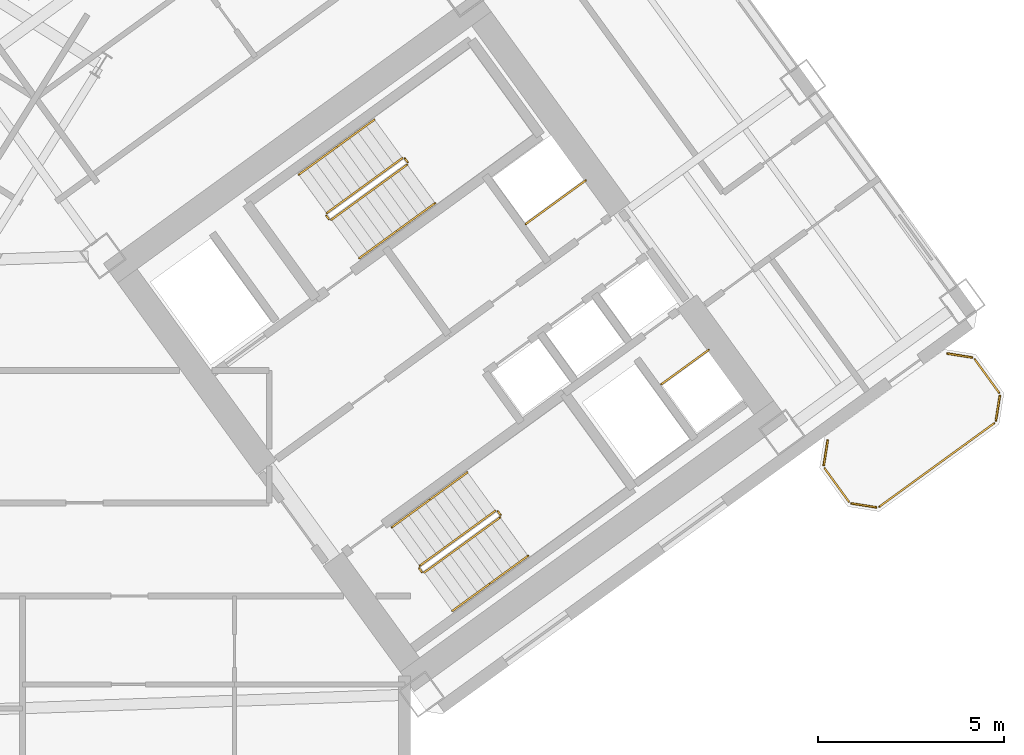
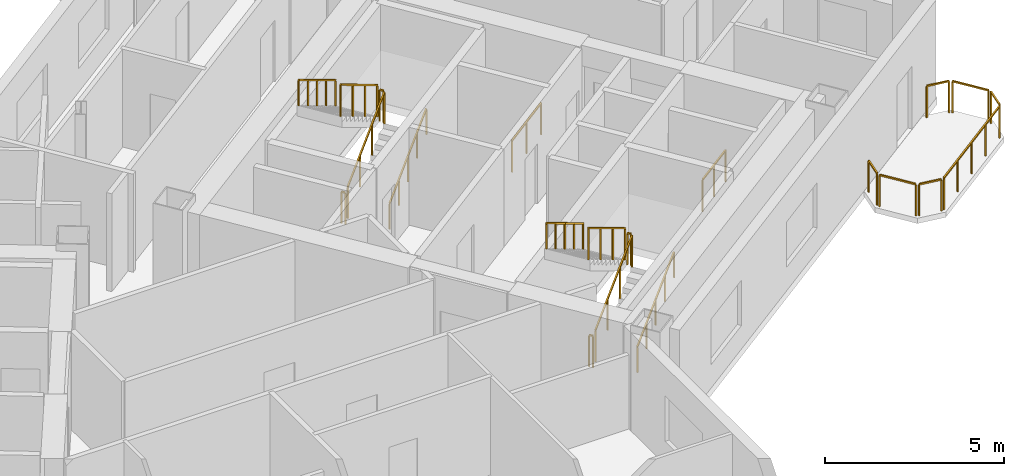
# One storey, part 20 of 21: 25 railings.
"""IFC4 building model written with IfcOpenShell, lengths in metres."""

from ifc_helpers import new_model, si_unit, direction, frame, origin, origin_2d, place, context, subcontext, project, spatial, rectangle, extrude, source, transform, mapped, material, type_object, element, save


model = new_model("IFC4")

# Units and contexts
model_context = context("Model", 3, precision=1e-05, world=origin(), true_north=direction((0.0, 1.0)))
body_context = subcontext(model_context, "Body", "Model", "MODEL_VIEW")
ifc_project = project(units=[si_unit("LENGTHUNIT", "METRE"), si_unit("AREAUNIT", "SQUARE_METRE"), si_unit("VOLUMEUNIT", "CUBIC_METRE"), si_unit("PLANEANGLEUNIT", "RADIAN"), si_unit("MASSUNIT", "GRAM", prefix="KILO")], contexts=[model_context])

# Site, building, storey
site_placement = place(None, origin())
site = spatial("IfcSite", under=ifc_project, at=site_placement, CompositionType="ELEMENT")
building_placement = place(site_placement, origin())
building = spatial("IfcBuilding", under=site, at=building_placement, Name="Tlacorven Tower", CompositionType="ELEMENT")
storey_placement = place(building_placement, frame((0.0, 0.0, 93.60009765625)))
storey = spatial("IfcBuildingStorey", under=building, at=storey_placement, Name="L23", CompositionType="ELEMENT", Elevation=93.60009765625)

# Railings
ifc_material = material(Name="Aluminium and painted steel balustrade", Category="steel")
railing_type_1 = type_object("IfcRailingType", Name="RL-GRD-1100", PredefinedType="GUARDRAIL", material=ifc_material)
shared_shape_1 = source(origin(), body_context, "Body", "SweptSolid", [
    extrude(rectangle(XDim=0.048095703125, YDim=0.048095703125, at=origin_2d()), frame((0.0, 0.0, 1.076171875), z_axis=(0.808947177504, 0.587881334972, 0.0), x_axis=(-0.587881334972, 0.808947177504, 0.0)), (0.0, 0.0, 1.0), 2.0),
    extrude(rectangle(XDim=0.0419921875, YDim=0.0419921875, at=origin_2d()), origin(), (0.0, 0.0, 1.0), 1.052001953125),
    extrude(rectangle(XDim=0.0419921875, YDim=0.0419921875, at=origin_2d()), frame((0.80908203125, 0.587890625, 0.0)), (0.0, 0.0, 1.0), 1.052001953125),
    extrude(rectangle(XDim=0.0419921875, YDim=0.0419921875, at=origin_2d()), frame((1.617919921875, 1.17578125, 0.0)), (0.0, 0.0, 1.0), 1.052001953125),
])
railing_1_placement = place(storey_placement, frame((55.506103515625, 25.438232421875, 0.0)))
element("IfcRailing", 1, at=railing_1_placement, inside=storey, type_object=railing_type_1, Name="L23 Electrical Riser E Shaft Guard 1", PredefinedType="GUARDRAIL", context=body_context, shape_type="MappedRepresentation", body=[
    mapped(shared_shape_1, transform((0.0, 0.0, 0.0), scale=1.0)),
])
shared_shape_2 = source(origin(), body_context, "Body", "SweptSolid", [
    extrude(rectangle(XDim=0.048095703125, YDim=0.048095703125, at=origin_2d()), frame((0.0, 0.0, 1.076171875), z_axis=(0.809029975545, 0.58776738483, 0.0), x_axis=(-0.58776738483, 0.809029975545, 0.0)), (0.0, 0.0, 1.0), 1.580078125),
    extrude(rectangle(XDim=0.0419921875, YDim=0.0419921875, at=origin_2d()), origin(), (0.0, 0.0, 1.0), 1.052001953125),
    extrude(rectangle(XDim=0.0419921875, YDim=0.0419921875, at=origin_2d()), frame((0.63916015625, 0.46435546875, 0.0)), (0.0, 0.0, 1.0), 1.052001953125),
    extrude(rectangle(XDim=0.0419921875, YDim=0.0419921875, at=origin_2d()), frame((1.2783203125, 0.9287109375, 0.0)), (0.0, 0.0, 1.0), 1.052001953125),
])
railing_2_placement = place(storey_placement, frame((59.160888671875, 21.122314453125, 0.0)))
element("IfcRailing", 2, at=railing_2_placement, inside=storey, type_object=railing_type_1, Name="L23 Smoke Riser E Shaft Guard 1", PredefinedType="GUARDRAIL", context=body_context, shape_type="MappedRepresentation", body=[
    mapped(shared_shape_2, transform((0.0, 0.0, 0.0), scale=1.0)),
])
railing_type_2 = type_object("IfcRailingType", Name="RL-BAL-1100", PredefinedType="BALUSTRADE", material=ifc_material)
shared_shape_3 = source(origin(), body_context, "Body", "SweptSolid", [
    extrude(rectangle(XDim=0.048095703125, YDim=0.048095703125, at=origin_2d()), frame((0.0, 0.0, 1.076171875), z_axis=(0.156602868908, 0.987661653326, 0.0), x_axis=(-0.987661653326, 0.156602868908, 0.0)), (0.0, 0.0, 1.0), 0.665771484375),
    extrude(rectangle(XDim=0.0419921875, YDim=0.0419921875, at=origin_2d()), origin(), (0.0, 0.0, 1.0), 1.052001953125),
    extrude(rectangle(XDim=0.0419921875, YDim=0.0419921875, at=origin_2d()), frame((0.104248046875, 0.657470703125, 0.0)), (0.0, 0.0, 1.0), 1.052001953125),
])
railing_3_placement = place(storey_placement, frame((63.539306640625, 18.949951171875, 0.0)))
element("IfcRailing", 3, at=railing_3_placement, inside=storey, type_object=railing_type_2, Name="BAL-L23-E-OUT Guard Railing 3", PredefinedType="BALUSTRADE", context=body_context, shape_type="MappedRepresentation", body=[
    mapped(shared_shape_3, transform((0.0, 0.0, 0.0), scale=1.0)),
])
shared_shape_4 = source(origin(), body_context, "Body", "SweptSolid", [
    extrude(rectangle(XDim=0.048095703125, YDim=0.048095703125, at=origin_2d()), frame((0.0, 0.0, 1.076171875), z_axis=(0.58788449985, -0.808944877501, 0.0), x_axis=(0.808944877501, 0.58788449985, 0.0)), (0.0, 0.0, 1.0), 1.112060546875),
    extrude(rectangle(XDim=0.0419921875, YDim=0.0419921875, at=origin_2d()), origin(), (0.0, 0.0, 1.0), 1.052001953125),
    extrude(rectangle(XDim=0.0419921875, YDim=0.0419921875, at=origin_2d()), frame((0.65380859375, -0.899658203125, 0.0)), (0.0, 0.0, 1.0), 1.052001953125),
])
railing_4_placement = place(storey_placement, frame((67.60595703125, 21.799072265625, 0.0)))
element("IfcRailing", 4, at=railing_4_placement, inside=storey, type_object=railing_type_2, Name="BAL-L23-E-OUT Guard Railing 5", PredefinedType="BALUSTRADE", context=body_context, shape_type="MappedRepresentation", body=[
    mapped(shared_shape_4, transform((0.0, 0.0, 0.0), scale=1.0)),
])
shared_shape_5 = source(origin(), body_context, "Body", "SweptSolid", [
    extrude(rectangle(XDim=0.048095703125, YDim=0.048095703125, at=origin_2d()), frame((0.0, 0.0, 1.076171875), z_axis=(-0.809018102573, -0.587783726986, 0.0), x_axis=(0.587783726986, -0.809018102573, 0.0)), (0.0, 0.0, 1.0), 3.817138671875),
    extrude(rectangle(XDim=0.0419921875, YDim=0.0419921875, at=origin_2d()), origin(), (0.0, 0.0, 1.0), 1.052001953125),
    extrude(rectangle(XDim=0.0419921875, YDim=0.0419921875, at=origin_2d()), frame((-0.77197265625, -0.56103515625, 0.0)), (0.0, 0.0, 1.0), 1.052001953125),
    extrude(rectangle(XDim=0.0419921875, YDim=0.0419921875, at=origin_2d()), frame((-1.5439453125, -1.121826171875, 0.0)), (0.0, 0.0, 1.0), 1.052001953125),
    extrude(rectangle(XDim=0.0419921875, YDim=0.0419921875, at=origin_2d()), frame((-2.316162109375, -1.6826171875, 0.0)), (0.0, 0.0, 1.0), 1.052001953125),
    extrude(rectangle(XDim=0.0419921875, YDim=0.0419921875, at=origin_2d()), frame((-3.088134765625, -2.24365234375, 0.0)), (0.0, 0.0, 1.0), 1.052001953125),
])
railing_5_placement = place(storey_placement, frame((68.12890625, 20.0732421875, 0.0)))
element("IfcRailing", 5, at=railing_5_placement, inside=storey, type_object=railing_type_2, Name="BAL-L23-E-OUT Guard Railing 7", PredefinedType="BALUSTRADE", context=body_context, shape_type="MappedRepresentation", body=[
    mapped(shared_shape_5, transform((0.0, 0.0, 0.0), scale=1.0)),
])
shared_shape_6 = source(origin(), body_context, "Body", "SweptSolid", [
    extrude(rectangle(XDim=0.048095703125, YDim=0.048095703125, at=origin_2d()), frame((0.0, 0.0, 1.076171875), z_axis=(-0.987718317463, 0.156245081039, 0.0), x_axis=(-0.156245081039, -0.987718317463, 0.0)), (0.0, 0.0, 1.0), 0.66552734375),
    extrude(rectangle(XDim=0.0419921875, YDim=0.0419921875, at=origin_2d()), origin(), (0.0, 0.0, 1.0), 1.052001953125),
    extrude(rectangle(XDim=0.0419921875, YDim=0.0419921875, at=origin_2d()), frame((-0.657470703125, 0.10400390625, 0.0)), (0.0, 0.0, 1.0), 1.052001953125),
])
railing_6_placement = place(storey_placement, frame((64.950927734375, 17.80810546875, 0.0)))
element("IfcRailing", 6, at=railing_6_placement, inside=storey, type_object=railing_type_2, Name="BAL-L23-E-OUT Guard Railing 1", PredefinedType="BALUSTRADE", context=body_context, shape_type="MappedRepresentation", body=[
    mapped(shared_shape_6, transform((0.0, 0.0, 0.0), scale=1.0)),
])
shared_shape_7 = source(origin(), body_context, "Body", "SweptSolid", [
    extrude(rectangle(XDim=0.048095703125, YDim=0.048095703125, at=origin_2d()), frame((0.0, 0.0, 1.076171875), z_axis=(-0.587740817519, 0.809049276263, 0.0), x_axis=(-0.809049276263, -0.587740817519, 0.0)), (0.0, 0.0, 1.0), 1.112060546875),
    extrude(rectangle(XDim=0.0419921875, YDim=0.0419921875, at=origin_2d()), origin(), (0.0, 0.0, 1.0), 1.052001953125),
    extrude(rectangle(XDim=0.0419921875, YDim=0.0419921875, at=origin_2d()), frame((-0.653564453125, 0.899658203125, 0.0)), (0.0, 0.0, 1.0), 1.052001953125),
])
railing_7_placement = place(storey_placement, frame((64.214599609375, 17.96044921875, 0.0)))
element("IfcRailing", 7, at=railing_7_placement, inside=storey, type_object=railing_type_2, Name="BAL-L23-E-OUT Guard Railing 2", PredefinedType="BALUSTRADE", context=body_context, shape_type="MappedRepresentation", body=[
    mapped(shared_shape_7, transform((0.0, 0.0, 0.0), scale=1.0)),
])
shared_shape_8 = source(origin(), body_context, "Body", "SweptSolid", [
    extrude(rectangle(XDim=0.048095703125, YDim=0.048095703125, at=origin_2d()), frame((0.0, 0.0, 1.076171875), z_axis=(-0.156245081039, -0.987718317463, 0.0), x_axis=(0.987718317463, -0.156245081039, 0.0)), (0.0, 0.0, 1.0), 0.66552734375),
    extrude(rectangle(XDim=0.0419921875, YDim=0.0419921875, at=origin_2d()), origin(), (0.0, 0.0, 1.0), 1.052001953125),
    extrude(rectangle(XDim=0.0419921875, YDim=0.0419921875, at=origin_2d()), frame((-0.10400390625, -0.657470703125, 0.0)), (0.0, 0.0, 1.0), 1.052001953125),
])
railing_8_placement = place(storey_placement, frame((68.28125, 20.8095703125, 0.0)))
element("IfcRailing", 8, at=railing_8_placement, inside=storey, type_object=railing_type_2, Name="BAL-L23-E-OUT Guard Railing 6", PredefinedType="BALUSTRADE", context=body_context, shape_type="MappedRepresentation", body=[
    mapped(shared_shape_8, transform((0.0, 0.0, 0.0), scale=1.0)),
])
shared_shape_9 = source(origin(), body_context, "Body", "SweptSolid", [
    extrude(rectangle(XDim=0.048095703125, YDim=0.048095703125, at=origin_2d()), frame((0.0, 0.0, 1.076171875), z_axis=(0.987727266442, -0.156188498702, 0.0), x_axis=(0.156188498702, 0.987727266442, 0.0)), (0.0, 0.0, 1.0), 0.665771484375),
    extrude(rectangle(XDim=0.0419921875, YDim=0.0419921875, at=origin_2d()), origin(), (0.0, 0.0, 1.0), 1.052001953125),
    extrude(rectangle(XDim=0.0419921875, YDim=0.0419921875, at=origin_2d()), frame((0.65771484375, -0.10400390625, 0.0)), (0.0, 0.0, 1.0), 1.052001953125),
])
railing_9_placement = place(storey_placement, frame((66.86962890625, 21.951416015625, 0.0)))
element("IfcRailing", 9, at=railing_9_placement, inside=storey, type_object=railing_type_2, Name="BAL-L23-E-OUT Guard Railing 4", PredefinedType="BALUSTRADE", context=body_context, shape_type="MappedRepresentation", body=[
    mapped(shared_shape_9, transform((0.0, 0.0, 0.0), scale=1.0)),
])
shared_shape_10 = source(origin(), body_context, "Body", "SweptSolid", [
    extrude(rectangle(XDim=0.048095703125, YDim=0.048095703125, at=origin_2d()), frame((0.0, 0.0, 1.076171875), z_axis=(-0.587567097037, 0.809175448515, 0.0), x_axis=(-0.809175448515, -0.587567097037, 0.0)), (0.0, 0.0, 1.0), 0.1201171875),
    extrude(rectangle(XDim=0.0419921875, YDim=0.0419921875, at=origin_2d()), origin(), (0.0, 0.0, 1.0), 1.052001953125),
    extrude(rectangle(XDim=0.0419921875, YDim=0.0419921875, at=origin_2d()), frame((-0.070556640625, 0.09716796875, 0.0)), (0.0, 0.0, 1.0), 1.052001953125),
])
for number, where, name in (
    (10, (54.8310546875, 17.605712890625, 1.7998046875), "L23 ST-E2 stair guard 2"),
    (11, (52.71142578125, 16.065673828125, 0.0), "L23 ST-E2 stair guard 4"),
):
    element("IfcRailing", number, at=place(storey_placement, frame(where)), inside=storey, type_object=railing_type_1, Name=name, PredefinedType="GUARDRAIL", context=body_context, shape_type="MappedRepresentation", body=[
        mapped(shared_shape_10, transform((0.0, 0.0, 0.0), scale=1.0)),
    ])
shared_shape_11 = source(origin(), body_context, "Body", "SweptSolid", [
    extrude(rectangle(XDim=0.048095703125, YDim=0.048095703125, at=origin_2d()), frame((0.0, 0.0, 1.076171875), z_axis=(-0.587201422542, 0.809440849824, 0.0), x_axis=(-0.809440849824, -0.587201422542, 0.0)), (0.0, 0.0, 1.0), 0.11962890625),
    extrude(rectangle(XDim=0.0419921875, YDim=0.0419921875, at=origin_2d()), origin(), (0.0, 0.0, 1.0), 1.052001953125),
    extrude(rectangle(XDim=0.0419921875, YDim=0.0419921875, at=origin_2d()), frame((-0.0703125, 0.096923828125, 0.0)), (0.0, 0.0, 1.0), 1.052001953125),
])
for number, where, name in (
    (12, (52.326904296875, 27.10888671875, 1.7998046875), "L23 ST-E1 stair guard 2"),
    (13, (50.207275390625, 25.56884765625, 0.0), "L23 ST-E1 stair guard 4"),
):
    element("IfcRailing", number, at=place(storey_placement, frame(where)), inside=storey, type_object=railing_type_1, Name=name, PredefinedType="GUARDRAIL", context=body_context, shape_type="MappedRepresentation", body=[
        mapped(shared_shape_11, transform((0.0, 0.0, 0.0), scale=1.0)),
    ])
railing_type_3 = type_object("IfcRailingType", Name="RL-HND-0900", PredefinedType="HANDRAIL", material=ifc_material)
shared_shape_12 = source(origin(), body_context, "Body", "SweptSolid", [
    extrude(rectangle(XDim=0.048095703125, YDim=0.048095703125, at=origin_2d()), frame((0.0, 0.0, 0.8759765625), z_axis=(0.680516055757, 0.494372502302, 0.540826891737), x_axis=(-0.587745292299, 0.809046025502, 0.0)), (0.0, 0.0, 1.0), 1.497802734375),
    extrude(rectangle(XDim=0.0419921875, YDim=0.0419921875, at=origin_2d()), origin(), (0.0, 0.0, 1.0), 0.851806640625),
    extrude(rectangle(XDim=0.0419921875, YDim=0.0419921875, at=origin_2d()), frame((0.509765625, 0.3701171875, 0.405029296875)), (0.0, 0.0, 1.0), 0.851806640625),
    extrude(rectangle(XDim=0.0419921875, YDim=0.0419921875, at=origin_2d()), frame((1.019287109375, 0.740478515625, 0.81005859375)), (0.0, 0.0, 1.0), 0.851806640625),
])
railing_10_placement = place(storey_placement, frame((51.029541015625, 24.522216796875, 0.179931640625)))
element("IfcRailing", 14, at=railing_10_placement, inside=storey, type_object=railing_type_3, Name="L23 ST-E1 stair handrail 1", PredefinedType="HANDRAIL", context=body_context, shape_type="MappedRepresentation", body=[
    mapped(shared_shape_12, transform((0.0, 0.0, 0.0), scale=1.0)),
])
shared_shape_13 = source(origin(), body_context, "Body", "SweptSolid", [
    extrude(rectangle(XDim=0.048095703125, YDim=0.048095703125, at=origin_2d()), frame((0.0, 0.0, 0.8759765625), z_axis=(-0.680461216233, -0.494495647917, 0.540783309093), x_axis=(0.587872112667, -0.808953879494, 0.0)), (0.0, 0.0, 1.0), 1.498046875),
    extrude(rectangle(XDim=0.0419921875, YDim=0.0419921875, at=origin_2d()), origin(), (0.0, 0.0, 1.0), 0.851806640625),
    extrude(rectangle(XDim=0.0419921875, YDim=0.0419921875, at=origin_2d()), frame((-0.509765625, -0.370361328125, 0.405029296875)), (0.0, 0.0, 1.0), 0.851806640625),
    extrude(rectangle(XDim=0.0419921875, YDim=0.0419921875, at=origin_2d()), frame((-1.019287109375, -0.74072265625, 0.81005859375)), (0.0, 0.0, 1.0), 0.851806640625),
])
for number, where, name in (
    (15, (50.414794921875, 27.511962890625, 2.789794921875), "L23 ST-E1 stair handrail 4"),
    (16, (52.9189453125, 18.0087890625, 2.789794921875), "L23 ST-E2 stair handrail 4"),
):
    element("IfcRailing", number, at=place(storey_placement, frame(where)), inside=storey, type_object=railing_type_3, Name=name, PredefinedType="HANDRAIL", context=body_context, shape_type="MappedRepresentation", body=[
        mapped(shared_shape_13, transform((0.0, 0.0, 0.0), scale=1.0)),
    ])
shared_shape_14 = source(origin(), body_context, "Body", "SweptSolid", [
    extrude(rectangle(XDim=0.048095703125, YDim=0.048095703125, at=origin_2d()), frame((0.0, 0.0, 1.076171875), z_axis=(0.680518627673, 0.494455869951, 0.540747436481), x_axis=(-0.5878087079, 0.808999952359, 0.0)), (0.0, 0.0, 1.0), 2.99560546875),
    extrude(rectangle(XDim=0.0419921875, YDim=0.0419921875, at=origin_2d()), origin(), (0.0, 0.0, 1.0), 1.052001953125),
    extrude(rectangle(XDim=0.0419921875, YDim=0.0419921875, at=origin_2d()), frame((0.679443359375, 0.49365234375, 0.5400390625)), (0.0, 0.0, 1.0), 1.052001953125),
    extrude(rectangle(XDim=0.0419921875, YDim=0.0419921875, at=origin_2d()), frame((1.359130859375, 0.987548828125, 1.079833984375)), (0.0, 0.0, 1.0), 1.052001953125),
    extrude(rectangle(XDim=0.0419921875, YDim=0.0419921875, at=origin_2d()), frame((2.03857421875, 1.481201171875, 1.619873046875)), (0.0, 0.0, 1.0), 1.052001953125),
])
railing_11_placement = place(storey_placement, frame((50.27734375, 25.557861328125, 0.179931640625)))
element("IfcRailing", 17, at=railing_11_placement, inside=storey, type_object=railing_type_1, Name="L23 ST-E1 stair guard 1", PredefinedType="GUARDRAIL", context=body_context, shape_type="MappedRepresentation", body=[
    mapped(shared_shape_14, transform((0.0, 0.0, 0.0), scale=1.0)),
])
shared_shape_15 = source(origin(), body_context, "Body", "SweptSolid", [
    extrude(rectangle(XDim=0.048095703125, YDim=0.048095703125, at=origin_2d()), frame((0.0, 0.0, 1.076171875), z_axis=(-0.680518627673, -0.494455869951, 0.540747436481), x_axis=(0.5878087079, -0.808999952359, 0.0)), (0.0, 0.0, 1.0), 2.99560546875),
    extrude(rectangle(XDim=0.0419921875, YDim=0.0419921875, at=origin_2d()), origin(), (0.0, 0.0, 1.0), 1.052001953125),
    extrude(rectangle(XDim=0.0419921875, YDim=0.0419921875, at=origin_2d()), frame((-0.679443359375, -0.49365234375, 0.5400390625)), (0.0, 0.0, 1.0), 1.052001953125),
    extrude(rectangle(XDim=0.0419921875, YDim=0.0419921875, at=origin_2d()), frame((-1.359130859375, -0.987548828125, 1.079833984375)), (0.0, 0.0, 1.0), 1.052001953125),
    extrude(rectangle(XDim=0.0419921875, YDim=0.0419921875, at=origin_2d()), frame((-2.03857421875, -1.481201171875, 1.619873046875)), (0.0, 0.0, 1.0), 1.052001953125),
])
railing_12_placement = place(storey_placement, frame((52.1865234375, 27.217041015625, 1.97998046875)))
element("IfcRailing", 18, at=railing_12_placement, inside=storey, type_object=railing_type_1, Name="L23 ST-E1 stair guard 3", PredefinedType="GUARDRAIL", context=body_context, shape_type="MappedRepresentation", body=[
    mapped(shared_shape_15, transform((0.0, 0.0, 0.0), scale=1.0)),
])
shared_shape_16 = source(origin(), body_context, "Body", "SweptSolid", [
    extrude(rectangle(XDim=0.048095703125, YDim=0.048095703125, at=origin_2d()), frame((0.0, 0.0, 0.8759765625), z_axis=(0.680608688748, 0.494484377792, 0.540608003012), x_axis=(-0.587779977844, 0.80902082646, 0.0)), (0.0, 0.0, 1.0), 1.498046875),
    extrude(rectangle(XDim=0.0419921875, YDim=0.0419921875, at=origin_2d()), origin(), (0.0, 0.0, 1.0), 0.851806640625),
    extrude(rectangle(XDim=0.0419921875, YDim=0.0419921875, at=origin_2d()), frame((0.509765625, 0.370361328125, 0.40478515625)), (0.0, 0.0, 1.0), 0.851806640625),
    extrude(rectangle(XDim=0.0419921875, YDim=0.0419921875, at=origin_2d()), frame((1.01953125, 0.74072265625, 0.809814453125)), (0.0, 0.0, 1.0), 0.851806640625),
])
railing_13_placement = place(storey_placement, frame((52.048828125, 25.2626953125, 0.989990234375)))
element("IfcRailing", 19, at=railing_13_placement, inside=storey, type_object=railing_type_3, Name="L23 ST-E1 stair handrail 2", PredefinedType="HANDRAIL", context=body_context, shape_type="MappedRepresentation", body=[
    mapped(shared_shape_16, transform((0.0, 0.0, 0.0), scale=1.0)),
])
shared_shape_17 = source(origin(), body_context, "Body", "SweptSolid", [
    extrude(rectangle(XDim=0.048095703125, YDim=0.048095703125, at=origin_2d()), frame((0.0, 0.0, 0.8759765625), z_axis=(-0.680663537655, -0.494361233168, 0.540651569541), x_axis=(0.587653156371, -0.809112951205, 0.0)), (0.0, 0.0, 1.0), 1.497802734375),
    extrude(rectangle(XDim=0.0419921875, YDim=0.0419921875, at=origin_2d()), origin(), (0.0, 0.0, 1.0), 0.851806640625),
    extrude(rectangle(XDim=0.0419921875, YDim=0.0419921875, at=origin_2d()), frame((-0.509765625, -0.3701171875, 0.40478515625)), (0.0, 0.0, 1.0), 0.851806640625),
    extrude(rectangle(XDim=0.0419921875, YDim=0.0419921875, at=origin_2d()), frame((-1.01953125, -0.740478515625, 0.809814453125)), (0.0, 0.0, 1.0), 0.851806640625),
])
railing_14_placement = place(storey_placement, frame((51.434326171875, 28.25244140625, 1.97998046875)))
element("IfcRailing", 20, at=railing_14_placement, inside=storey, type_object=railing_type_3, Name="L23 ST-E1 stair handrail 3", PredefinedType="HANDRAIL", context=body_context, shape_type="MappedRepresentation", body=[
    mapped(shared_shape_17, transform((0.0, 0.0, 0.0), scale=1.0)),
])
shared_shape_18 = source(origin(), body_context, "Body", "SweptSolid", [
    extrude(rectangle(XDim=0.048095703125, YDim=0.048095703125, at=origin_2d()), frame((0.0, 0.0, 0.8759765625), z_axis=(0.680576044605, 0.494416082224, 0.54071155448), x_axis=(-0.587745292299, 0.809046025502, 0.0)), (0.0, 0.0, 1.0), 1.497802734375),
    extrude(rectangle(XDim=0.0419921875, YDim=0.0419921875, at=origin_2d()), origin(), (0.0, 0.0, 1.0), 0.851806640625),
    extrude(rectangle(XDim=0.0419921875, YDim=0.0419921875, at=origin_2d()), frame((0.509765625, 0.3701171875, 0.40478515625)), (0.0, 0.0, 1.0), 0.851806640625),
    extrude(rectangle(XDim=0.0419921875, YDim=0.0419921875, at=origin_2d()), frame((1.019287109375, 0.740478515625, 0.809814453125)), (0.0, 0.0, 1.0), 0.851806640625),
])
railing_15_placement = place(storey_placement, frame((54.552978515625, 15.759765625, 0.989990234375)))
element("IfcRailing", 21, at=railing_15_placement, inside=storey, type_object=railing_type_3, Name="L23 ST-E2 stair handrail 2", PredefinedType="HANDRAIL", context=body_context, shape_type="MappedRepresentation", body=[
    mapped(shared_shape_18, transform((0.0, 0.0, 0.0), scale=1.0)),
])
shared_shape_19 = source(origin(), body_context, "Body", "SweptSolid", [
    extrude(rectangle(XDim=0.048095703125, YDim=0.048095703125, at=origin_2d()), frame((0.0, 0.0, 0.8759765625), z_axis=(0.680461216233, 0.494495647917, 0.540783309093), x_axis=(-0.587872112667, 0.808953879494, 0.0)), (0.0, 0.0, 1.0), 1.498046875),
    extrude(rectangle(XDim=0.0419921875, YDim=0.0419921875, at=origin_2d()), origin(), (0.0, 0.0, 1.0), 0.851806640625),
    extrude(rectangle(XDim=0.0419921875, YDim=0.0419921875, at=origin_2d()), frame((0.509765625, 0.370361328125, 0.405029296875)), (0.0, 0.0, 1.0), 0.851806640625),
    extrude(rectangle(XDim=0.0419921875, YDim=0.0419921875, at=origin_2d()), frame((1.019287109375, 0.74072265625, 0.81005859375)), (0.0, 0.0, 1.0), 0.851806640625),
])
railing_16_placement = place(storey_placement, frame((53.53369140625, 15.01904296875, 0.179931640625)))
element("IfcRailing", 22, at=railing_16_placement, inside=storey, type_object=railing_type_3, Name="L23 ST-E2 stair handrail 1", PredefinedType="HANDRAIL", context=body_context, shape_type="MappedRepresentation", body=[
    mapped(shared_shape_19, transform((0.0, 0.0, 0.0), scale=1.0)),
])
shared_shape_20 = source(origin(), body_context, "Body", "SweptSolid", [
    extrude(rectangle(XDim=0.048095703125, YDim=0.048095703125, at=origin_2d()), frame((0.0, 0.0, 1.076171875), z_axis=(0.680562380517, 0.494428447203, 0.540717446381), x_axis=(-0.587762637553, 0.809033424462, 0.0)), (0.0, 0.0, 1.0), 2.995849609375),
    extrude(rectangle(XDim=0.0419921875, YDim=0.0419921875, at=origin_2d()), origin(), (0.0, 0.0, 1.0), 1.052001953125),
    extrude(rectangle(XDim=0.0419921875, YDim=0.0419921875, at=origin_2d()), frame((0.6796875, 0.49365234375, 0.5400390625)), (0.0, 0.0, 1.0), 1.052001953125),
    extrude(rectangle(XDim=0.0419921875, YDim=0.0419921875, at=origin_2d()), frame((1.359130859375, 0.987548828125, 1.079833984375)), (0.0, 0.0, 1.0), 1.052001953125),
    extrude(rectangle(XDim=0.0419921875, YDim=0.0419921875, at=origin_2d()), frame((2.038818359375, 1.481201171875, 1.619873046875)), (0.0, 0.0, 1.0), 1.052001953125),
])
railing_17_placement = place(storey_placement, frame((52.78125, 16.0546875, 0.179931640625)))
element("IfcRailing", 23, at=railing_17_placement, inside=storey, type_object=railing_type_1, Name="L23 ST-E2 stair guard 1", PredefinedType="GUARDRAIL", context=body_context, shape_type="MappedRepresentation", body=[
    mapped(shared_shape_20, transform((0.0, 0.0, 0.0), scale=1.0)),
])
shared_shape_21 = source(origin(), body_context, "Body", "SweptSolid", [
    extrude(rectangle(XDim=0.048095703125, YDim=0.048095703125, at=origin_2d()), frame((0.0, 0.0, 1.076171875), z_axis=(-0.680562380517, -0.494428447203, 0.540717446381), x_axis=(0.587762637553, -0.809033424462, 0.0)), (0.0, 0.0, 1.0), 2.995849609375),
    extrude(rectangle(XDim=0.0419921875, YDim=0.0419921875, at=origin_2d()), origin(), (0.0, 0.0, 1.0), 1.052001953125),
    extrude(rectangle(XDim=0.0419921875, YDim=0.0419921875, at=origin_2d()), frame((-0.6796875, -0.49365234375, 0.5400390625)), (0.0, 0.0, 1.0), 1.052001953125),
    extrude(rectangle(XDim=0.0419921875, YDim=0.0419921875, at=origin_2d()), frame((-1.359130859375, -0.987548828125, 1.079833984375)), (0.0, 0.0, 1.0), 1.052001953125),
    extrude(rectangle(XDim=0.0419921875, YDim=0.0419921875, at=origin_2d()), frame((-2.038818359375, -1.481201171875, 1.619873046875)), (0.0, 0.0, 1.0), 1.052001953125),
])
railing_18_placement = place(storey_placement, frame((54.690673828125, 17.7138671875, 1.97998046875)))
element("IfcRailing", 24, at=railing_18_placement, inside=storey, type_object=railing_type_1, Name="L23 ST-E2 stair guard 3", PredefinedType="GUARDRAIL", context=body_context, shape_type="MappedRepresentation", body=[
    mapped(shared_shape_21, transform((0.0, 0.0, 0.0), scale=1.0)),
])
shared_shape_22 = source(origin(), body_context, "Body", "SweptSolid", [
    extrude(rectangle(XDim=0.048095703125, YDim=0.048095703125, at=origin_2d()), frame((0.0, 0.0, 0.8759765625), z_axis=(-0.680576044605, -0.494416082224, 0.54071155448), x_axis=(0.587745292299, -0.809046025502, 0.0)), (0.0, 0.0, 1.0), 1.497802734375),
    extrude(rectangle(XDim=0.0419921875, YDim=0.0419921875, at=origin_2d()), origin(), (0.0, 0.0, 1.0), 0.851806640625),
    extrude(rectangle(XDim=0.0419921875, YDim=0.0419921875, at=origin_2d()), frame((-0.509765625, -0.3701171875, 0.40478515625)), (0.0, 0.0, 1.0), 0.851806640625),
    extrude(rectangle(XDim=0.0419921875, YDim=0.0419921875, at=origin_2d()), frame((-1.019287109375, -0.740478515625, 0.809814453125)), (0.0, 0.0, 1.0), 0.851806640625),
])
railing_19_placement = place(storey_placement, frame((53.938232421875, 18.749267578125, 1.97998046875)))
element("IfcRailing", 25, at=railing_19_placement, inside=storey, type_object=railing_type_3, Name="L23 ST-E2 stair handrail 3", PredefinedType="HANDRAIL", context=body_context, shape_type="MappedRepresentation", body=[
    mapped(shared_shape_22, transform((0.0, 0.0, 0.0), scale=1.0)),
])

save(model, "model.ifc")
